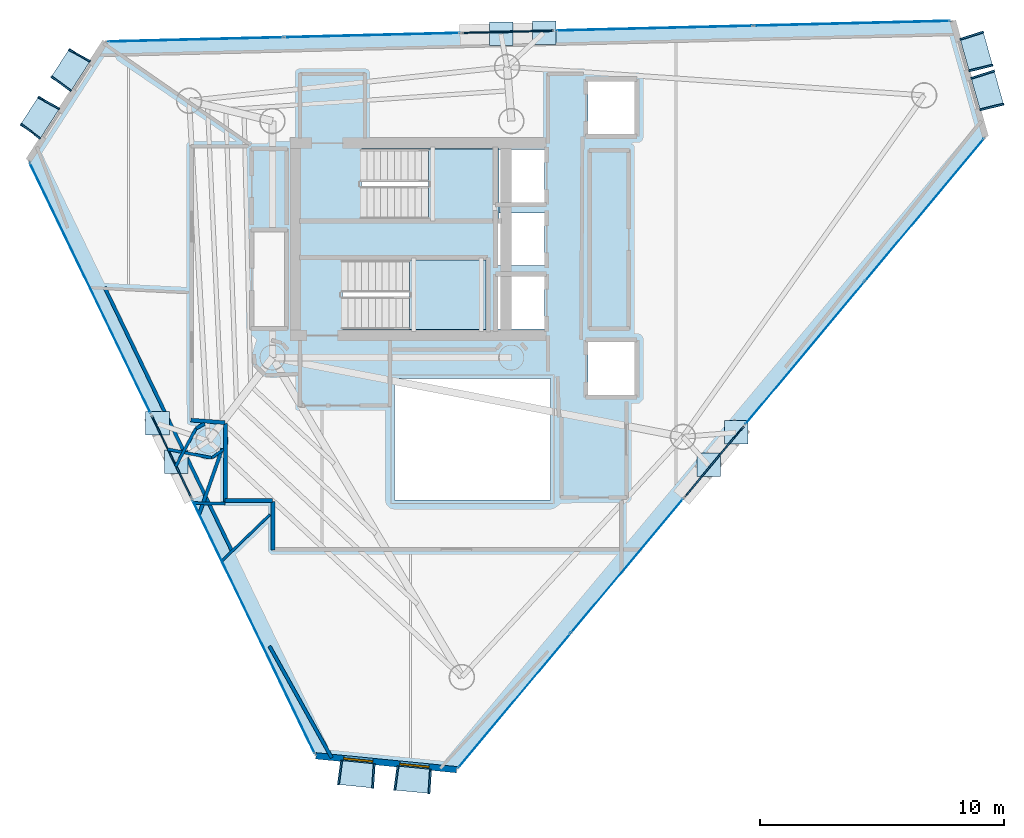
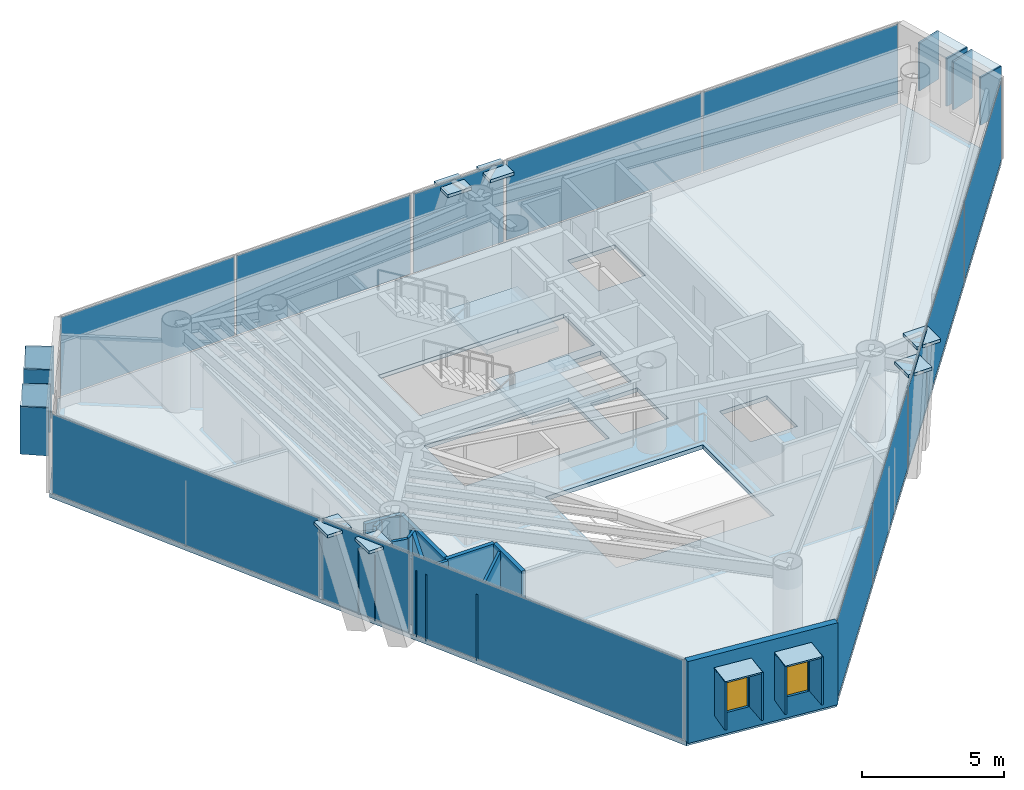
# One storey, part 14 of 20: 37 plates, 14 walls, 3 slabs, 2 windows, 2 openings, 11 elements without a shape of their own.
"""IFC4 building model written with IfcOpenShell, lengths in metres."""

import ifcopenshell
import ifcopenshell.guid

model = None  # the IFC model being written
_history = None  # IfcOwnerHistory: only IFC2X3 demands one
_inside = {}  # id of a spatial element -> (the spatial element, [elements in it])
_under = {}  # id of a project, library or spatial element -> (it, [spatial elements below it])
_declared = {}  # id of a project -> (the project, [libraries it declares])
_typed = {}  # id of a type object -> (the type object, [elements of that type])
_made_of = {}  # id of a material, layer set ... -> (it, [elements and type objects made of it])


def new_model(schema):
    """Start an empty IFC model of exactly this schema.

    Asked for "IFC4X3", IfcOpenShell would pick the latest addendum, in which some entities
    have other attributes; the version numbers below select the first issue.
    IFC2X3 requires an IfcOwnerHistory on every rooted entity: one is made here for all.
    """
    global model, _history
    if schema == "IFC4X3":
        model = ifcopenshell.file(schema_version=(4, 3, 0, 0))
    else:
        model = ifcopenshell.file(schema=schema)
    _inside.clear()
    _under.clear()
    _declared.clear()
    _typed.clear()
    _made_of.clear()
    _history = None
    if model.schema == "IFC2X3":
        org = make("IfcOrganization", Name="unknown")
        user = make(
            "IfcPersonAndOrganization",
            ThePerson=make("IfcPerson", FamilyName="unknown"),
            TheOrganization=org,
        )
        app = make(
            "IfcApplication",
            ApplicationDeveloper=org,
            Version="unknown",
            ApplicationFullName="unknown",
            ApplicationIdentifier="unknown",
        )
        _history = make(
            "IfcOwnerHistory",
            OwningUser=user,
            OwningApplication=app,
            ChangeAction="ADDED",
            CreationDate=0,
        )
    return model


def make(cls, **values):
    """One entity of the class cls with the attributes given. An attribute that is None is left unset."""
    return model.create_entity(
        cls, **{name: value for name, value in values.items() if value is not None}
    )


def rooted(cls, **values):
    """An entity with a GlobalId (a new one), such as an element, a storey or a relation."""
    return make(cls, GlobalId=ifcopenshell.guid.new(), OwnerHistory=_history, **values)


def si_unit(unit_type, name, prefix=None):
    """IfcSIUnit, for example si_unit("LENGTHUNIT", "METRE", prefix="MILLI")."""
    return make("IfcSIUnit", UnitType=unit_type, Prefix=prefix, Name=name)


def assignment(units):
    """IfcUnitAssignment: the units of a project."""
    return None if units is None else make("IfcUnitAssignment", Units=units)


def point(xyz):
    """IfcCartesianPoint."""
    return None if xyz is None else make("IfcCartesianPoint", Coordinates=xyz)


def direction(xyz):
    """IfcDirection."""
    return None if xyz is None else make("IfcDirection", DirectionRatios=xyz)


def frame(location, z_axis=None, x_axis=None):
    """IfcAxis2Placement3D, a coordinate frame: its origin and axes. An axis left out is left unset."""
    return make(
        "IfcAxis2Placement3D",
        Location=point(location),
        Axis=direction(z_axis),
        RefDirection=direction(x_axis),
    )


def frame_2d(location, x_axis=None):
    """IfcAxis2Placement2D, a coordinate frame in the plane: its origin and x axis."""
    return make(
        "IfcAxis2Placement2D", Location=point(location), RefDirection=direction(x_axis)
    )


def origin():
    """The frame at (0, 0, 0) with its axes left unset."""
    return frame((0.0, 0.0, 0.0))


def origin_2d():
    """The frame at (0, 0) in the plane with its x axis left unset."""
    return frame_2d((0.0, 0.0))


def place(relative_to, where):
    """IfcLocalPlacement: puts the frame where relative to a parent placement (None: the world)."""
    return make(
        "IfcLocalPlacement", PlacementRelTo=relative_to, RelativePlacement=where
    )


def context(
    kind, dimensions, precision=None, world=None, true_north=None, identifier=None
):
    """IfcGeometricRepresentationContext, for example the 3D "Model" context."""
    return make(
        "IfcGeometricRepresentationContext",
        ContextIdentifier=identifier,
        ContextType=kind,
        CoordinateSpaceDimension=dimensions,
        Precision=precision,
        WorldCoordinateSystem=world,
        TrueNorth=true_north,
    )


def subcontext(parent, identifier, kind, view, scale=None):
    """IfcGeometricRepresentationSubContext, for example "Body" below "Model"."""
    return make(
        "IfcGeometricRepresentationSubContext",
        ContextIdentifier=identifier,
        ContextType=kind,
        ParentContext=parent,
        TargetScale=scale,
        TargetView=view,
    )


def project(units=None, contexts=None):
    """IfcProject with its units and contexts."""
    return rooted(
        "IfcProject",
        Name="project",
        RepresentationContexts=contexts,
        UnitsInContext=assignment(units),
    )


def spatial(cls, under=None, at=None, **own):
    """A site, building, storey or space (cls), placed at a placement, below another one or the project."""
    s = rooted(cls, ObjectPlacement=at, **own)
    if under is not None:
        _under.setdefault(under.id(), (under, []))[1].append(s)
    return s


def polyline(points):
    """IfcPolyline through the points."""
    return make("IfcPolyline", Points=[point(p) for p in points])


def profile(cls, at=None, kind="AREA", **sizes):
    """A parametric profile (cls). Its sizes go by their IFC names, for example OverallWidth=200.0."""
    return make(cls, ProfileType=kind, Position=at, **sizes)


def rectangle(**sizes):
    """IfcRectangleProfileDef."""
    return profile("IfcRectangleProfileDef", **sizes)


def outline(outer, holes=None, kind="AREA"):
    """IfcArbitraryClosedProfileDef: a profile drawn as a closed curve; with holes, ...WithVoids."""
    if holes is None:
        return make("IfcArbitraryClosedProfileDef", ProfileType=kind, OuterCurve=outer)
    return make(
        "IfcArbitraryProfileDefWithVoids",
        ProfileType=kind,
        OuterCurve=outer,
        InnerCurves=holes,
    )


def extrude(swept, where, along, depth):
    """IfcExtrudedAreaSolid: the profile swept, set in the frame where, extruded along a direction by depth."""
    return make(
        "IfcExtrudedAreaSolid",
        SweptArea=swept,
        Position=where,
        ExtrudedDirection=direction(along),
        Depth=depth,
    )


def shape(context_of_items, identifier, shape_type, items):
    """IfcShapeRepresentation: the items that make up one representation, for example the "Body"."""
    return make(
        "IfcShapeRepresentation",
        ContextOfItems=context_of_items,
        RepresentationIdentifier=identifier,
        RepresentationType=shape_type,
        Items=items,
    )


def material(Name=None, Category=None):
    """IfcMaterial."""
    return make("IfcMaterial", Name=Name, Category=Category)


def layer(
    of_material, thickness, ventilated=None, Name=None, Category=None, Priority=None
):
    """IfcMaterialLayer: one layer of a wall or slab, of a material (None: an air gap)."""
    return make(
        "IfcMaterialLayer",
        Material=of_material,
        LayerThickness=thickness,
        IsVentilated=ventilated,
        Name=Name,
        Category=Category,
        Priority=Priority,
    )


def layer_set(layers, Name=None):
    """IfcMaterialLayerSet."""
    return make("IfcMaterialLayerSet", MaterialLayers=layers, LayerSetName=Name)


def made_of(thing, what):
    """Note that an element or type object is made of a material, layer set ...; save() writes the relation."""
    if what is not None:
        _made_of.setdefault(what.id(), (what, []))[1].append(thing)
    return thing


def type_object(cls, material=None, **own):
    """A type object (cls), such as IfcWallType, which elements share."""
    return made_of(rooted(cls, **own), material)


def element(
    cls,
    number,
    at=None,
    inside=None,
    cuts=None,
    type_object=None,
    material=None,
    context=None,
    identifier="Body",
    shape_type=None,
    held_by="IfcProductDefinitionShape",
    body=None,
    shapes=None,
    **own,
):
    """One element of the class cls, such as IfcWall. Its Tag is "e" and its number.

    at: its placement. inside: the storey or other place that contains it. cuts: it is an
    opening in that element (IfcRelVoidsElement). A single representation is given by context,
    identifier, shape_type and body (its items); several are given by shapes. held_by: the class
    of the entity that holds the representations. save() writes the other relations.
    """
    e = rooted(cls, Tag="e%d" % number, ObjectPlacement=at, **own)
    if body is not None:
        shapes = [shape(context, identifier, shape_type, body)]
    if shapes is not None:
        e.Representation = make(held_by, Representations=shapes)
    if inside is not None:
        _inside.setdefault(inside.id(), (inside, []))[1].append(e)
    if cuts is not None:
        rooted(
            "IfcRelVoidsElement", RelatingBuildingElement=cuts, RelatedOpeningElement=e
        )
    if type_object is not None:
        _typed.setdefault(type_object.id(), (type_object, []))[1].append(e)
    return made_of(e, material)


def fill(opening, filler):
    """IfcRelFillsElement: the door or window that sits in an opening."""
    return rooted(
        "IfcRelFillsElement",
        RelatingOpeningElement=opening,
        RelatedBuildingElement=filler,
    )


def aggregate(whole, parts):
    """IfcRelAggregates: a whole, such as a stair, and the parts it consists of."""
    return rooted("IfcRelAggregates", RelatingObject=whole, RelatedObjects=parts)


def save(model, path):
    """Write the relations noted so far, then the file.

    IfcRelAggregates (storeys below a building ...), IfcRelContainedInSpatialStructure (elements
    in a storey), IfcRelDefinesByType, IfcRelAssociatesMaterial and IfcRelDeclares: one each for
    every whole, place, type object, material and project.
    """
    for whole, parts in _under.values():
        aggregate(whole, parts)
    for where, things in _inside.values():
        rooted(
            "IfcRelContainedInSpatialStructure",
            RelatedElements=things,
            RelatingStructure=where,
        )
    for kind, things in _typed.values():
        rooted("IfcRelDefinesByType", RelatedObjects=things, RelatingType=kind)
    for what, things in _made_of.values():
        rooted("IfcRelAssociatesMaterial", RelatedObjects=things, RelatingMaterial=what)
    for by, libraries in _declared.values():
        rooted("IfcRelDeclares", RelatingContext=by, RelatedDefinitions=libraries)
    model.write(path)


model = new_model("IFC4")

# Units and contexts
model_context = context("Model", 3, precision=1e-05, world=origin(), true_north=direction((0.0, 1.0)))
body_context = subcontext(model_context, "Body", "Model", "MODEL_VIEW")
ifc_project = project(units=[si_unit("LENGTHUNIT", "METRE"), si_unit("AREAUNIT", "SQUARE_METRE"), si_unit("VOLUMEUNIT", "CUBIC_METRE"), si_unit("PLANEANGLEUNIT", "RADIAN"), si_unit("MASSUNIT", "GRAM", prefix="KILO")], contexts=[model_context])

# Site, building, storey
site_placement = place(None, origin())
site = spatial("IfcSite", under=ifc_project, at=site_placement, CompositionType="ELEMENT")
building_placement = place(site_placement, origin())
building = spatial("IfcBuilding", under=site, at=building_placement, Name="Qianvela Tower", CompositionType="ELEMENT")
storey_placement = place(building_placement, frame((0.0, 0.0, 257.5)))
storey = spatial("IfcBuildingStorey", under=building, at=storey_placement, Name="L66", CompositionType="ELEMENT", Elevation=257.5)

# Curtain wall, plate
ifc_material_1 = material(Name="Anodised Architectural Aluminium and Insulated Spandrel Panel", Category="aluminium")
ifc_layer_1 = layer(ifc_material_1, 0.179931640625)
ifc_layer_set_1 = layer_set([ifc_layer_1], Name="Anodised Architectural Aluminium and Insulated Spandrel Panel")
curtain_wall_type_1 = type_object("IfcCurtainWallType", Name="CW-BRACEBAY", PredefinedType="USERDEFINED", material=ifc_layer_set_1)
curtain_wall_1_placement = place(storey_placement, origin())
curtain_wall_1 = element("IfcCurtainWall", 1, at=curtain_wall_1_placement, inside=storey, type_object=curtain_wall_type_1, Name="L66 CW-BRACEBAY Curtain Wall 02B", ObjectType="CURTAIN_WALL_SYSTEM", PredefinedType="USERDEFINED")
ifc_material_2 = material(Name="Insulated Aluminium Spandrel Panel with Mineral-Wool Backpan", Category="aluminium")
ifc_layer_2 = layer(ifc_material_2, 0.06005859375)
ifc_layer_set_2 = layer_set([ifc_layer_2], Name="Insulated Aluminium Spandrel Panel with Mineral-Wool Backpan")
plate_type_1 = type_object("IfcPlateType", Name="CW-BRACEBAY-PNL", PredefinedType="CURTAIN_PANEL", material=ifc_layer_set_2)
plate_1_placement = place(storey_placement, frame((38.260986328125, 37.212890625, 0.06494140625), z_axis=(0.0, 0.0, 1.0), x_axis=(-0.999699056646, -0.02453153359, 0.0)))
plate_1 = element("IfcPlate", 2, at=plate_1_placement, type_object=plate_type_1, Name="CW-9 panel 1.1", PredefinedType="CURTAIN_PANEL", context=body_context, shape_type="SweptSolid", body=[
    extrude(rectangle(XDim=3.7099609375, YDim=0.06005859375, at=origin_2d()), origin(), (0.0, 0.0, 1.0), 3.389892578125),
])
aggregate(curtain_wall_1, [plate_1])

curtain_wall_2_placement = place(storey_placement, origin())
curtain_wall_2 = element("IfcCurtainWall", 3, at=curtain_wall_2_placement, inside=storey, type_object=curtain_wall_type_1, Name="L66 CW-BRACEBAY Curtain Wall 04B", ObjectType="CURTAIN_WALL_SYSTEM", PredefinedType="USERDEFINED")
plate_2_placement = place(storey_placement, frame((24.459228515625, 19.787353515625, 0.06494140625), z_axis=(0.0, 0.0, 1.0), x_axis=(0.43459499496, -0.900625999156, 0.0)))
plate_2 = element("IfcPlate", 4, at=plate_2_placement, type_object=plate_type_1, Name="CW-9 panel 1.1", PredefinedType="CURTAIN_PANEL", context=body_context, shape_type="SweptSolid", body=[
    extrude(rectangle(XDim=3.699951171875, YDim=0.06005859375, at=origin_2d()), origin(), (0.0, 0.0, 1.0), 3.389892578125),
])
aggregate(curtain_wall_2, [plate_2])

curtain_wall_3_placement = place(storey_placement, origin())
curtain_wall_3 = element("IfcCurtainWall", 5, at=curtain_wall_3_placement, inside=storey, type_object=curtain_wall_type_1, Name="L66 CW-BRACEBAY Curtain Wall 06B", ObjectType="CURTAIN_WALL_SYSTEM", PredefinedType="USERDEFINED")
plate_3_placement = place(storey_placement, frame((46.722900390625, 19.584716796875, 0.06494140625), z_axis=(0.0, 0.0, 1.0), x_axis=(0.641269037043, 0.767316116167, 0.0)))
plate_3 = element("IfcPlate", 6, at=plate_3_placement, type_object=plate_type_1, Name="CW-9 panel 1.1", PredefinedType="CURTAIN_PANEL", context=body_context, shape_type="SweptSolid", body=[
    extrude(rectangle(XDim=3.739990234375, YDim=0.06005859375, at=origin_2d()), origin(), (0.0, 0.0, 1.0), 3.389892578125),
])
aggregate(curtain_wall_3, [plate_3])

# Curtain wall, plates
ifc_material_3 = material(Name="Anodised Architectural Aluminium and Low-E Glass", Category="aluminium")
ifc_layer_3 = layer(ifc_material_3, 0.159912109375)
ifc_layer_set_3 = layer_set([ifc_layer_3], Name="Anodised Architectural Aluminium and Low-E Glass")
curtain_wall_type_2 = type_object("IfcCurtainWallType", Name="CW-COLIV-Z56", PredefinedType="USERDEFINED", material=ifc_layer_set_3)
curtain_wall_4_placement = place(storey_placement, origin())
curtain_wall_4 = element("IfcCurtainWall", 7, at=curtain_wall_4_placement, inside=storey, type_object=curtain_wall_type_2, Name="L66 CW-COLIV-Z56 Curtain Wall 02A", ObjectType="CURTAIN_WALL_SYSTEM", PredefinedType="USERDEFINED")
ifc_material_4 = material(Name="Double-Silver Low-E Insulated Glass", Category="glass")
ifc_layer_4 = layer(ifc_material_4, 0.028076171875)
ifc_layer_set_4 = layer_set([ifc_layer_4], Name="Double-Silver Low-E Insulated Glass")
plate_type_2 = type_object("IfcPlateType", Name="CW-COLIV-Z56-PNL", PredefinedType="CURTAIN_PANEL", material=ifc_layer_set_4)
plate_4_placement = place(storey_placement, frame((52.370361328125, 37.5595703125, 0.06005859375), z_axis=(0.0, 0.0, 1.0), x_axis=(-0.999698413601, -0.02455772473, 0.0)))
plate_4 = element("IfcPlate", 8, at=plate_4_placement, type_object=plate_type_2, Name="CW-5 panel 1.1", PredefinedType="CURTAIN_PANEL", context=body_context, shape_type="SweptSolid", body=[
    extrude(rectangle(XDim=8.04248046875, YDim=0.028076171875, at=origin_2d()), origin(), (0.0, 0.0, 1.0), 3.39990234375),
])
plate_5_placement = place(storey_placement, frame((44.265380859375, 37.3603515625, 0.06005859375), z_axis=(0.0, 0.0, 1.0), x_axis=(-0.999698413601, -0.02455772473, 0.0)))
plate_5 = element("IfcPlate", 9, at=plate_5_placement, type_object=plate_type_2, Name="CW-5 panel 2.1", PredefinedType="CURTAIN_PANEL", context=body_context, shape_type="SweptSolid", body=[
    extrude(rectangle(XDim=8.04248046875, YDim=0.028076171875, at=origin_2d()), origin(), (0.0, 0.0, 1.0), 3.39990234375),
])
aggregate(curtain_wall_4, [plate_4, plate_5])

curtain_wall_5_placement = place(storey_placement, origin())
curtain_wall_5 = element("IfcCurtainWall", 10, at=curtain_wall_5_placement, inside=storey, type_object=curtain_wall_type_2, Name="L66 CW-COLIV-Z56 Curtain Wall 02C", ObjectType="CURTAIN_WALL_SYSTEM", PredefinedType="USERDEFINED")
plate_6_placement = place(storey_placement, frame((32.689208984375, 37.076171875, 0.06005859375), z_axis=(0.0, 0.0, 1.0), x_axis=(-0.99969840508, -0.024558071614, 0.0)))
plate_6 = element("IfcPlate", 11, at=plate_6_placement, type_object=plate_type_2, Name="CW-5 panel 1.1", PredefinedType="CURTAIN_PANEL", context=body_context, shape_type="SweptSolid", body=[
    extrude(rectangle(XDim=7.177001953125, YDim=0.028076171875, at=origin_2d()), origin(), (0.0, 0.0, 1.0), 3.39990234375),
])
plate_7_placement = place(storey_placement, frame((25.44921875, 36.898193359375, 0.06005859375), z_axis=(0.0, 0.0, 1.0), x_axis=(-0.99969840508, -0.024558071614, 0.0)))
plate_7 = element("IfcPlate", 12, at=plate_7_placement, type_object=plate_type_2, Name="CW-5 panel 2.1", PredefinedType="CURTAIN_PANEL", context=body_context, shape_type="SweptSolid", body=[
    extrude(rectangle(XDim=7.177001953125, YDim=0.028076171875, at=origin_2d()), origin(), (0.0, 0.0, 1.0), 3.39990234375),
])
aggregate(curtain_wall_5, [plate_6, plate_7])

# Curtain wall, plate
curtain_wall_6_placement = place(storey_placement, origin())
curtain_wall_6 = element("IfcCurtainWall", 13, at=curtain_wall_6_placement, inside=storey, type_object=curtain_wall_type_2, Name="L66 CW-COLIV-Z56 Curtain Wall 04A", ObjectType="CURTAIN_WALL_SYSTEM", PredefinedType="USERDEFINED")
plate_8_placement = place(storey_placement, frame((21.12353515625, 26.69970703125, 0.06005859375), z_axis=(0.0, 0.0, 1.0), x_axis=(0.434607049973, -0.900620181938, 0.0)))
plate_8 = element("IfcPlate", 14, at=plate_8_placement, type_object=plate_type_2, Name="CW-5 panel 1.1", PredefinedType="CURTAIN_PANEL", context=body_context, shape_type="SweptSolid", body=[
    extrude(rectangle(XDim=11.39013671875, YDim=0.028076171875, at=origin_2d()), origin(), (0.0, 0.0, 1.0), 3.39990234375),
])
aggregate(curtain_wall_6, [plate_8])

curtain_wall_7_placement = place(storey_placement, origin())
curtain_wall_7 = element("IfcCurtainWall", 15, at=curtain_wall_7_placement, inside=storey, type_object=curtain_wall_type_2, Name="L66 CW-COLIV-Z56 Curtain Wall 04C", ObjectType="CURTAIN_WALL_SYSTEM", PredefinedType="USERDEFINED")
plate_9_placement = place(storey_placement, frame((27.826416015625, 12.81005859375, 0.06005859375), z_axis=(0.0, 0.0, 1.0), x_axis=(0.434608571818, -0.900619447548, 0.0)))
plate_9 = element("IfcPlate", 16, at=plate_9_placement, type_object=plate_type_2, Name="CW-5 panel 1.1", PredefinedType="CURTAIN_PANEL", context=body_context, shape_type="SweptSolid", body=[
    extrude(rectangle(XDim=11.53466796875, YDim=0.028076171875, at=origin_2d()), origin(), (0.0, 0.0, 1.0), 3.39990234375),
])
aggregate(curtain_wall_7, [plate_9])

# Curtain wall, plates
curtain_wall_8_placement = place(storey_placement, origin())
curtain_wall_8 = element("IfcCurtainWall", 17, at=curtain_wall_8_placement, inside=storey, type_object=curtain_wall_type_2, Name="L66 CW-COLIV-Z56 Curtain Wall 06A", ObjectType="CURTAIN_WALL_SYSTEM", PredefinedType="USERDEFINED")
plate_10_placement = place(storey_placement, frame((38.5234375, 9.773681640625, 0.06005859375), z_axis=(0.0, 0.0, 1.0), x_axis=(0.641273263743, 0.767312583768, 0.0)))
plate_10 = element("IfcPlate", 18, at=plate_10_placement, type_object=plate_type_2, Name="CW-5 panel 1.1", PredefinedType="CURTAIN_PANEL", context=body_context, shape_type="SweptSolid", body=[
    extrude(rectangle(XDim=7.1474609375, YDim=0.028076171875, at=origin_2d()), origin(), (0.0, 0.0, 1.0), 3.39990234375),
])
plate_11_placement = place(storey_placement, frame((43.148681640625, 15.307861328125, 0.06005859375), z_axis=(0.0, 0.0, 1.0), x_axis=(0.641273263743, 0.767312583768, 0.0)))
plate_11 = element("IfcPlate", 19, at=plate_11_placement, type_object=plate_type_2, Name="CW-5 panel 2.1", PredefinedType="CURTAIN_PANEL", context=body_context, shape_type="SweptSolid", body=[
    extrude(rectangle(XDim=7.1474609375, YDim=0.028076171875, at=origin_2d()), origin(), (0.0, 0.0, 1.0), 3.39990234375),
])
aggregate(curtain_wall_8, [plate_10, plate_11])

curtain_wall_9_placement = place(storey_placement, origin())
curtain_wall_9 = element("IfcCurtainWall", 20, at=curtain_wall_9_placement, inside=storey, type_object=curtain_wall_type_2, Name="L66 CW-COLIV-Z56 Curtain Wall 06C", ObjectType="CURTAIN_WALL_SYSTEM", PredefinedType="USERDEFINED")
plate_12_placement = place(storey_placement, frame((50.437255859375, 24.029052734375, 0.06005859375), z_axis=(0.0, 0.0, 1.0), x_axis=(0.64127341561, 0.767312456847, 0.0)))
plate_12 = element("IfcPlate", 21, at=plate_12_placement, type_object=plate_type_2, Name="CW-5 panel 1.1", PredefinedType="CURTAIN_PANEL", context=body_context, shape_type="SweptSolid", body=[
    extrude(rectangle(XDim=7.584228515625, YDim=0.028076171875, at=origin_2d()), origin(), (0.0, 0.0, 1.0), 3.39990234375),
])
plate_13_placement = place(storey_placement, frame((55.342529296875, 29.8984375, 0.06005859375), z_axis=(0.0, 0.0, 1.0), x_axis=(0.64127341561, 0.767312456847, 0.0)))
plate_13 = element("IfcPlate", 22, at=plate_13_placement, type_object=plate_type_2, Name="CW-5 panel 2.1", PredefinedType="CURTAIN_PANEL", context=body_context, shape_type="SweptSolid", body=[
    extrude(rectangle(XDim=7.584228515625, YDim=0.028076171875, at=origin_2d()), origin(), (0.0, 0.0, 1.0), 3.39990234375),
])
aggregate(curtain_wall_9, [plate_12, plate_13])

# Plates
ifc_material_5 = material(Name="Steel Q420GJC", Category="steel")
ifc_layer_5 = layer(ifc_material_5, 0.1298828125)
ifc_layer_set_5 = layer_set([ifc_layer_5], Name="Steel Q420GJC")
plate_type_3 = type_object("IfcPlateType", Name="PT-ENDCAP-130", PredefinedType="USERDEFINED", material=ifc_layer_set_5)
for number, where, z_axis, x_axis, name in (
    (23, (39.743408203125, 37.169189453125, 3.209716796875), (0.0, 0.0, 1.0), (1.0, 0.0, 0.0), "L66 Hollow Section End Cap Plate B"),
    (24, (37.991455078125, 37.126220703125, 3.209716796875), (0.0, 0.0, 1.0), (1.0, 0.0, 0.0), "L66 Hollow Section End Cap Plate B"),
    (25, (23.88818359375, 21.15478515625, 3.209716796875), (0.0, 0.0, 1.0), (1.0, 0.0, 0.0), "L66 Hollow Section End Cap Plate B"),
    (26, (24.64990234375, 19.576416015625, 3.209716796875), (0.0, 0.0, 1.0), (1.0, 0.0, 0.0), "L66 Hollow Section End Cap Plate B"),
    (27, (46.5029296875, 19.4462890625, 3.20947265625), (0.0, 0.0, 1.0), (1.0, 0.0, 0.0), "L66 Hollow Section End Cap Plate B"),
    (28, (47.626953125, 20.791015625, 3.20947265625), (0.0, 0.0, 1.0), (1.0, 0.0, 0.0), "L66 Hollow Section End Cap Plate B"),
):
    element("IfcPlate", number, at=place(storey_placement, frame(where, z_axis=z_axis, x_axis=x_axis)), inside=storey, type_object=plate_type_3, Name=name, ObjectType="END_CAP", PredefinedType="USERDEFINED", context=body_context, shape_type="SweptSolid", body=[
        extrude(rectangle(XDim=0.969970703125, YDim=0.969970703125, at=origin_2d()), origin(), (0.0, 0.0, 1.0), 0.1298828125),
    ])

# Slab
ifc_material_6 = material(Name="Concrete C40", Category="concrete")
ifc_layer_6 = layer(ifc_material_6, 0.179931640625)
ifc_layer_set_6 = layer_set([ifc_layer_6], Name="Concrete C40")
slab_type_1 = type_object("IfcSlabType", Name="SL-FLOOR-180", PredefinedType="FLOOR", material=ifc_layer_set_6)
slab_1_placement = place(storey_placement, frame((0.0, 0.0, -0.179931640625)))
element("IfcSlab", 29, at=slab_1_placement, inside=storey, type_object=slab_type_1, Name="L66 Composite Structural Floor Slab", PredefinedType="FLOOR", context=body_context, shape_type="SweptSolid", body=[
    extrude(outline(polyline([(57.84814453125, 32.896484375), (56.505615234375, 37.660888671875), (21.746826171875, 36.807373046875), (18.5986328125, 31.932373046875), (30.3828125, 7.51220703125), (36.157958984375, 6.943115234375), (57.84814453125, 32.896484375)]), holes=[polyline([(40.0, 23.0), (33.60009765625, 23.0), (33.60009765625, 18.0), (40.0, 18.0), (40.0, 23.0)]), polyline([(43.4599609375, 24.47998046875), (41.5400390625, 24.47998046875), (41.5400390625, 22.320068359375), (43.4599609375, 22.320068359375), (43.4599609375, 24.47998046875)]), polyline([(39.760009765625, 27.179931640625), (37.840087890625, 27.179931640625), (37.840087890625, 25.02001953125), (39.760009765625, 25.02001953125), (39.760009765625, 27.179931640625)]), polyline([(37.35009765625, 27.860107421875), (31.469970703125, 27.860107421875), (31.469970703125, 25.0), (37.35009765625, 25.0), (37.35009765625, 27.860107421875)]), polyline([(39.760009765625, 27.6201171875), (39.760009765625, 29.780029296875), (37.89990234375, 29.780029296875), (37.89990234375, 30.219970703125), (39.760009765625, 30.219970703125), (39.760009765625, 32.3798828125), (37.89990234375, 32.3798828125), (37.89990234375, 32.39990234375), (32.25, 32.39990234375), (32.25, 29.5400390625), (37.840087890625, 29.5400390625), (37.840087890625, 27.6201171875), (39.760009765625, 27.6201171875)]), polyline([(43.4599609375, 35.179931640625), (41.5400390625, 35.179931640625), (41.5400390625, 33.02001953125), (43.4599609375, 33.02001953125), (43.4599609375, 35.179931640625)])]), origin(), (0.0, 0.0, 1.0), 0.179931640625),
])

# Stair, slab
ifc_material_7 = material(Name="Concrete C40", Category="concrete")
stair_type = type_object("IfcStairType", Name="ST-DOGLEG-1350-R168-N22", PredefinedType="HALF_TURN_STAIR", material=ifc_material_7)
stair_1_placement = place(storey_placement, origin())
stair_1 = element("IfcStair", 30, at=stair_1_placement, inside=storey, type_object=stair_type, Name="L66 Smoke-Proof Core Stair ST-1", PredefinedType="HALF_TURN_STAIR")
ifc_material_8 = material(Name="Concrete C40", Category="concrete")
ifc_layer_7 = layer(ifc_material_8, 0.199951171875)
ifc_layer_set_7 = layer_set([ifc_layer_7], Name="Concrete C40")
slab_type_2 = type_object("IfcSlabType", Name="SL-STAIR-LANDING-200", PredefinedType="LANDING", material=ifc_layer_set_7)
slab_2_placement = place(storey_placement, frame((0.0, 0.0, 1.64990234375)))
slab_2 = element("IfcSlab", 31, at=slab_2_placement, type_object=slab_type_2, Name="ST-1 landing 1", PredefinedType="LANDING", context=body_context, shape_type="SweptSolid", body=[
    extrude(outline(polyline([(35.0, 29.5400390625), (37.89990234375, 29.5400390625), (37.89990234375, 32.39990234375), (35.0, 32.39990234375), (35.0, 29.5400390625)])), origin(), (0.0, 0.0, 1.0), 0.2001953125),
])
aggregate(stair_1, [slab_2])

stair_2_placement = place(storey_placement, origin())
stair_2 = element("IfcStair", 32, at=stair_2_placement, inside=storey, type_object=stair_type, Name="L66 Smoke-Proof Core Stair ST-2", PredefinedType="HALF_TURN_STAIR")
slab_3_placement = place(storey_placement, frame((0.0, 0.0, 1.64990234375)))
slab_3 = element("IfcSlab", 33, at=slab_3_placement, type_object=slab_type_2, Name="ST-2 landing 1", PredefinedType="LANDING", context=body_context, shape_type="SweptSolid", body=[
    extrude(outline(polyline([(34.219970703125, 25.0), (37.35009765625, 25.0), (37.35009765625, 27.860107421875), (34.219970703125, 27.860107421875), (34.219970703125, 25.0)])), origin(), (0.0, 0.0, 1.0), 0.2001953125),
])
aggregate(stair_2, [slab_3])

# Plates
ifc_material_9 = material(Name="Vitrified Architectural Terracotta Panel", Category="masonry")
ifc_layer_8 = layer(ifc_material_9, 0.06005859375)
ifc_layer_set_8 = layer_set([ifc_layer_8], Name="Vitrified Architectural Terracotta Panel")
plate_type_4 = type_object("IfcPlateType", Name="TERRACOTTA-SUNSHADE-HOOD-FOLD-A", PredefinedType="USERDEFINED", material=ifc_layer_set_8)
for number, where, z_axis, x_axis, name in (
    (34, (20.310791015625, 35.662109375, 2.909912109375), (0.0, 0.0, 1.0), (-0.542497252585, -0.840057575966, 0.0), "L66 Terracotta Sunshade Hood FOLD-A"),
    (35, (19.051513671875, 33.712158203125, 2.909912109375), (0.0, 0.0, 1.0), (-0.542497252585, -0.840057575966, 0.0), "L66 Terracotta Sunshade Hood FOLD-A"),
):
    element("IfcPlate", number, at=place(storey_placement, frame(where, z_axis=z_axis, x_axis=x_axis)), inside=storey, type_object=plate_type_4, Name=name, ObjectType="SUNSHADE", PredefinedType="USERDEFINED", context=body_context, shape_type="SweptSolid", body=[
        extrude(rectangle(XDim=1.43994140625, YDim=0.989990234375, at=origin_2d()), origin(), (0.0, 0.0, 1.0), 0.06005859375),
    ])
ifc_material_10 = material(Name="Vitrified Architectural Terracotta Panel", Category="masonry")
ifc_layer_9 = layer(ifc_material_10, 0.070068359375)
ifc_layer_set_9 = layer_set([ifc_layer_9], Name="Vitrified Architectural Terracotta Panel")
plate_type_5 = type_object("IfcPlateType", Name="TERRACOTTA-SUNSHADE-HOOD-FOLD-C", PredefinedType="USERDEFINED", material=ifc_layer_set_9)
for number, where, z_axis, x_axis, name in (
    (36, (57.921630859375, 34.79248046875, 2.909912109375), (0.0, 0.0, 1.0), (-0.271223748622, 0.962516326191, 0.0), "L66 Terracotta Sunshade Hood FOLD-C"),
    (37, (57.471435546875, 36.390380859375, 2.909912109375), (0.0, 0.0, 1.0), (-0.271223748622, 0.962516326191, 0.0), "L66 Terracotta Sunshade Hood FOLD-C"),
    (38, (32.05810546875, 6.75927734375, 2.909912109375), (0.0, 0.0, 1.0), (0.995181475754, -0.098050141851, 0.0), "L66 Terracotta Sunshade Hood FOLD-C"),
    (39, (34.3681640625, 6.53173828125, 2.909912109375), (0.0, 0.0, 1.0), (0.995181475754, -0.098050141851, 0.0), "L66 Terracotta Sunshade Hood FOLD-C"),
):
    element("IfcPlate", number, at=place(storey_placement, frame(where, z_axis=z_axis, x_axis=x_axis)), inside=storey, type_object=plate_type_5, Name=name, ObjectType="SUNSHADE", PredefinedType="USERDEFINED", context=body_context, shape_type="SweptSolid", body=[
        extrude(rectangle(XDim=1.43994140625, YDim=0.989990234375, at=origin_2d()), origin(), (0.0, 0.0, 1.0), 0.06005859375),
    ])
ifc_material_11 = material(Name="Vitrified Architectural Terracotta Side Fin Panel", Category="masonry")
ifc_layer_10 = layer(ifc_material_11, 0.06494140625)
ifc_layer_set_10 = layer_set([ifc_layer_10], Name="Vitrified Architectural Terracotta Side Fin Panel")
plate_type_6 = type_object("IfcPlateType", Name="TERRACOTTA-SUNSHADE-STRUT-FOLD-A", PredefinedType="USERDEFINED", material=ifc_layer_set_10)
for number, where, z_axis, x_axis, name in (
    (40, (20.685302734375, 36.24169921875, 0.89990234375), (0.0, 0.0, 1.0), (-0.482576302302, -0.875853933288, 0.0), "L66 Terracotta Sunshade Side Fin HL FOLD-A"),
    (41, (19.9365234375, 35.08251953125, 0.89990234375), (0.0, 0.0, 1.0), (-0.599775210784, -0.800168542576, 0.0), "L66 Terracotta Sunshade Side Fin HR FOLD-A"),
    (42, (19.42578125, 34.291748046875, 0.89990234375), (0.0, 0.0, 1.0), (-0.482576302302, -0.875853933288, 0.0), "L66 Terracotta Sunshade Side Fin HL FOLD-A"),
    (43, (18.67724609375, 33.132568359375, 0.89990234375), (0.0, 0.0, 1.0), (-0.599775210784, -0.800168542576, 0.0), "L66 Terracotta Sunshade Side Fin HR FOLD-A"),
):
    element("IfcPlate", number, at=place(storey_placement, frame(where, z_axis=z_axis, x_axis=x_axis)), inside=storey, type_object=plate_type_6, Name=name, ObjectType="SUNSHADE", PredefinedType="USERDEFINED", context=body_context, shape_type="SweptSolid", body=[
        extrude(rectangle(XDim=0.06494140625, YDim=1.010009765625, at=origin_2d()), origin(), (0.0, 0.0, 1.0), 2.06005859375),
    ])
ifc_material_12 = material(Name="Vitrified Architectural Terracotta Side Fin Panel", Category="masonry")
ifc_layer_11 = layer(ifc_material_12, 0.074951171875)
ifc_layer_set_11 = layer_set([ifc_layer_11], Name="Vitrified Architectural Terracotta Side Fin Panel")
plate_type_7 = type_object("IfcPlateType", Name="TERRACOTTA-SUNSHADE-STRUT-FOLD-C", PredefinedType="USERDEFINED", material=ifc_layer_set_11)
for number, where, z_axis, x_axis, name in (
    (44, (58.108642578125, 34.12841796875, 0.89990234375), (0.0, 0.0, 1.0), (-0.237467191091, 0.971395559572, 0.0), "L66 Terracotta Sunshade Side Fin HL FOLD-C"),
    (45, (57.734619140625, 35.45654296875, 0.89990234375), (0.0, 0.0, 1.0), (-0.304649861795, 0.95246441493, 0.0), "L66 Terracotta Sunshade Side Fin HR FOLD-C"),
    (46, (57.658447265625, 35.72607421875, 0.89990234375), (0.0, 0.0, 1.0), (-0.237467191091, 0.971395559572, 0.0), "L66 Terracotta Sunshade Side Fin HL FOLD-C"),
    (47, (57.2841796875, 37.054443359375, 0.89990234375), (0.0, 0.0, 1.0), (-0.304649861795, 0.95246441493, 0.0), "L66 Terracotta Sunshade Side Fin HR FOLD-C"),
    (48, (31.371337890625, 6.826904296875, 0.89990234375), (0.0, 0.0, 1.0), (0.991153337485, -0.132721744985, 0.0), "L66 Terracotta Sunshade Side Fin HL FOLD-C"),
    (49, (32.74462890625, 6.691650390625, 0.89990234375), (0.0, 0.0, 1.0), (0.99799713869, -0.063259079722, 0.0), "L66 Terracotta Sunshade Side Fin HR FOLD-C"),
    (50, (33.681396484375, 6.599365234375, 0.89990234375), (0.0, 0.0, 1.0), (0.991153337485, -0.132721744985, 0.0), "L66 Terracotta Sunshade Side Fin HL FOLD-C"),
    (51, (35.0546875, 6.464111328125, 0.89990234375), (0.0, 0.0, 1.0), (0.99799713869, -0.063259079722, 0.0), "L66 Terracotta Sunshade Side Fin HR FOLD-C"),
):
    element("IfcPlate", number, at=place(storey_placement, frame(where, z_axis=z_axis, x_axis=x_axis)), inside=storey, type_object=plate_type_7, Name=name, ObjectType="SUNSHADE", PredefinedType="USERDEFINED", context=body_context, shape_type="SweptSolid", body=[
        extrude(rectangle(XDim=0.074951171875, YDim=1.010009765625, at=origin_2d()), origin(), (0.0, 0.0, 1.0), 2.06005859375),
    ])

# Wall, openings, windows
ifc_material_13 = material(Name="Terracotta Cladding on Concrete C40", Category="masonry")
ifc_layer_12 = layer(ifc_material_13, 0.260009765625)
ifc_layer_set_12 = layer_set([ifc_layer_12], Name="Terracotta Cladding on Concrete C40")
wall_type_1 = type_object("IfcWallType", Name="TERRACOTTA-WALL-260", PredefinedType="SOLIDWALL", material=ifc_layer_set_12)
wall_1_placement = place(storey_placement, frame((30.3828125, 7.51220703125, 0.0), z_axis=(0.0, 0.0, 1.0), x_axis=(0.99517985896, -0.098066550464, 0.0)))
wall_1 = element("IfcWall", 52, at=wall_1_placement, inside=storey, type_object=wall_type_1, Name="L66 Terracotta Chamfer Facet Wall 5", PredefinedType="SOLIDWALL", context=body_context, shape_type="SweptSolid", body=[
    extrude(rectangle(XDim=5.80322265625, YDim=0.260009765625, at=frame_2d((2.901611328125, 0.0))), origin(), (0.0, 0.0, 1.0), 3.52001953125),
])
opening_1_placement = place(wall_1_placement, frame((1.140869140625, 0.0, 0.89990234375)))
opening_1 = element("IfcOpeningElement", 53, at=opening_1_placement, cuts=wall_1, Name="Opening W-03", PredefinedType="OPENING", context=body_context, shape_type="SweptSolid", body=[
    extrude(rectangle(XDim=1.199951171875, YDim=2.0, at=frame_2d((0.60009765625, 1.0))), frame((0.0, 0.139892578125, 0.0), z_axis=(0.0, -1.0, 0.0), x_axis=(1.0, 0.0, 0.0)), (0.0, 0.0, 1.0), 0.280029296875),
])
opening_2_placement = place(wall_1_placement, frame((3.462158203125, 0.0, 0.89990234375)))
opening_2 = element("IfcOpeningElement", 54, at=opening_2_placement, cuts=wall_1, Name="Opening W-03", PredefinedType="OPENING", context=body_context, shape_type="SweptSolid", body=[
    extrude(rectangle(XDim=1.199951171875, YDim=2.0, at=frame_2d((0.60009765625, 1.0))), frame((0.0, 0.139892578125, 0.0), z_axis=(0.0, -1.0, 0.0), x_axis=(1.0, 0.0, 0.0)), (0.0, 0.0, 1.0), 0.280029296875),
])
ifc_material_14 = material(Name="Thermally Broken Aluminium and Low-E Glass", Category="aluminium")
window_type = type_object("IfcWindowType", Name="WIN-TC-1200x2000", PartitioningType="SINGLE_PANEL", PredefinedType="WINDOW", material=ifc_material_14)
window_1_placement = place(opening_1_placement, origin())
window_1 = element("IfcWindow", 55, at=window_1_placement, inside=storey, type_object=window_type, Name="L66 Chamfer Facet Window 5.1", OverallHeight=2.0, OverallWidth=1.199951171875, PartitioningType="SINGLE_PANEL", PredefinedType="WINDOW", context=body_context, shape_type="SweptSolid", body=[
    extrude(rectangle(XDim=1.199951171875, YDim=2.0, at=frame_2d((0.60009765625, 1.0))), frame((0.0, 0.030029296875, 0.0), z_axis=(0.0, -1.0, 0.0), x_axis=(1.0, 0.0, 0.0)), (0.0, 0.0, 1.0), 0.06005859375),
])
fill(opening_1, window_1)
window_2_placement = place(opening_2_placement, origin())
window_2 = element("IfcWindow", 56, at=window_2_placement, inside=storey, type_object=window_type, Name="L66 Chamfer Facet Window 5.2", OverallHeight=2.0, OverallWidth=1.199951171875, PartitioningType="SINGLE_PANEL", PredefinedType="WINDOW", context=body_context, shape_type="SweptSolid", body=[
    extrude(rectangle(XDim=1.199951171875, YDim=2.0, at=frame_2d((0.60009765625, 1.0))), frame((0.0, 0.030029296875, 0.0), z_axis=(0.0, -1.0, 0.0), x_axis=(1.0, 0.0, 0.0)), (0.0, 0.0, 1.0), 0.06005859375),
])
fill(opening_2, window_2)

# Walls
ifc_material_15 = material(Name="Fire-Rated Gypsum and Concrete Block", Category="concrete")
ifc_layer_13 = layer(ifc_material_15, 0.159912109375)
ifc_layer_set_13 = layer_set([ifc_layer_13], Name="Fire-Rated Gypsum and Concrete Block")
wall_type_2 = type_object("IfcWallType", Name="WT-CORR-160", PredefinedType="PARTITIONING", material=ifc_layer_set_13)
wall_2_placement = place(storey_placement, frame((28.631103515625, 15.949951171875, 0.0), z_axis=(0.0, 0.0, 1.0), x_axis=(0.0, 1.0, 0.0)))
element("IfcWall", 57, at=wall_2_placement, inside=storey, type_object=wall_type_2, Name="L66 Partition 58", PredefinedType="PARTITIONING", context=body_context, shape_type="SweptSolid", body=[
    extrude(rectangle(XDim=2.0, YDim=0.159912109375, at=frame_2d((1.0, 0.0))), origin(), (0.0, 0.0, 1.0), 2.840087890625),
])
wall_3_placement = place(storey_placement, frame((28.60009765625, 17.98095703125, 0.0), z_axis=(0.0, 0.0, 1.0), x_axis=(-1.0, 0.0, 0.0)))
element("IfcWall", 58, at=wall_3_placement, inside=storey, type_object=wall_type_2, Name="L66 Partition 59", PredefinedType="PARTITIONING", context=body_context, shape_type="SweptSolid", body=[
    extrude(rectangle(XDim=1.9501953125, YDim=0.159912109375, at=frame_2d((0.97509765625, 0.0))), origin(), (0.0, 0.0, 1.0), 2.840087890625),
])
wall_4_placement = place(storey_placement, frame((26.680908203125, 17.949951171875, 0.0), z_axis=(0.0, 0.0, 1.0), x_axis=(0.0, 1.0, 0.0)))
element("IfcWall", 59, at=wall_4_placement, inside=storey, type_object=wall_type_2, Name="L66 Partition 60", PredefinedType="PARTITIONING", context=body_context, shape_type="SweptSolid", body=[
    extrude(rectangle(XDim=3.199951171875, YDim=0.159912109375, at=frame_2d((1.60009765625, 0.0))), origin(), (0.0, 0.0, 1.0), 2.840087890625),
])
wall_5_placement = place(storey_placement, frame((26.65234375, 21.180908203125, 0.0), z_axis=(0.0, 0.0, 1.0), x_axis=(-0.997303696291, 0.073384857861, 0.0)))
element("IfcWall", 60, at=wall_5_placement, inside=storey, type_object=wall_type_2, Name="L66 Partition 61", PredefinedType="PARTITIONING", context=body_context, shape_type="SweptSolid", body=[
    extrude(rectangle(XDim=1.404052734375, YDim=0.159912109375, at=frame_2d((0.7021484375, 0.0))), origin(), (0.0, 0.0, 1.0), 2.840087890625),
])
ifc_material_16 = material(Name="Lightweight Gypsum Room Partition")
ifc_layer_14 = layer(ifc_material_16, 0.10498046875)
ifc_layer_set_14 = layer_set([ifc_layer_14], Name="Lightweight Gypsum Room Partition")
wall_type_3 = type_object("IfcWallType", Name="WT-PART-105", PredefinedType="PARTITIONING", material=ifc_layer_set_14)
wall_6_placement = place(storey_placement, frame((26.1240234375, 19.740234375, 0.0), z_axis=(0.0, 0.0, 1.0), x_axis=(0.803130617249, 0.595802997339, 0.0)))
element("IfcWall", 61, at=wall_6_placement, inside=storey, type_object=wall_type_3, Name="L66 Partition 70", PredefinedType="PARTITIONING", context=body_context, shape_type="SweptSolid", body=[
    extrude(rectangle(XDim=0.578125, YDim=0.10498046875, at=frame_2d((0.2890625, 0.0))), origin(), (0.0, 0.0, 1.0), 2.840087890625),
])
wall_7_placement = place(storey_placement, frame((28.49853515625, 17.41162109375, 0.0), z_axis=(0.0, 0.0, 1.0), x_axis=(-0.719456270986, -0.694537741335, 0.0)))
element("IfcWall", 62, at=wall_7_placement, inside=storey, type_object=wall_type_3, Name="L66 Partition 73", PredefinedType="PARTITIONING", context=body_context, shape_type="SweptSolid", body=[
    extrude(rectangle(XDim=2.762939453125, YDim=0.10498046875, at=frame_2d((1.38134765625, 0.0))), origin(), (0.0, 0.0, 1.0), 2.840087890625),
])
ifc_material_17 = material(Name="Insulated Gypsum Stud Partition")
ifc_layer_15 = layer(ifc_material_17, 0.1201171875)
ifc_layer_set_15 = layer_set([ifc_layer_15], Name="Insulated Gypsum Stud Partition")
wall_type_4 = type_object("IfcWallType", Name="WT-PART-120", PredefinedType="PARTITIONING", material=ifc_layer_set_15)
wall_8_placement = place(storey_placement, frame((25.460205078125, 20.93603515625, 0.0), z_axis=(0.0, 0.0, 1.0), x_axis=(-0.471491142695, -0.881870796863, 0.0)))
element("IfcWall", 63, at=wall_8_placement, inside=storey, type_object=wall_type_4, Name="L66 Partition 66", PredefinedType="PARTITIONING", context=body_context, shape_type="SweptSolid", body=[
    extrude(rectangle(XDim=1.75390625, YDim=0.1201171875, at=frame_2d((0.876953125, 0.0))), origin(), (0.0, 0.0, 1.0), 2.840087890625),
])
wall_9_placement = place(storey_placement, frame((24.293701171875, 20.09375, 0.0), z_axis=(0.0, 0.0, 1.0), x_axis=(0.980819637786, -0.194917516229, 0.0)))
element("IfcWall", 64, at=wall_9_placement, inside=storey, type_object=wall_type_4, Name="L66 Partition 69", PredefinedType="PARTITIONING", context=body_context, shape_type="SweptSolid", body=[
    extrude(rectangle(XDim=1.84130859375, YDim=0.1201171875, at=frame_2d((0.920654296875, 0.0))), origin(), (0.0, 0.0, 1.0), 2.840087890625),
])
wall_10_placement = place(storey_placement, frame((25.361083984375, 17.87744140625, 0.0), z_axis=(0.0, 0.0, 1.0), x_axis=(0.999926518374, -0.012122617385, 0.0)))
element("IfcWall", 65, at=wall_10_placement, inside=storey, type_object=wall_type_4, Name="L66 Partition 72 seg 1", PredefinedType="PARTITIONING", context=body_context, shape_type="SweptSolid", body=[
    extrude(rectangle(XDim=1.288818359375, YDim=0.1201171875, at=frame_2d((0.64453125, 0.0))), origin(), (0.0, 0.0, 1.0), 2.840087890625),
])
ifc_material_18 = material(Name="Acoustic Double Gypsum Stud Partition")
ifc_layer_16 = layer(ifc_material_18, 0.139892578125)
ifc_layer_set_16 = layer_set([ifc_layer_16], Name="Acoustic Double Gypsum Stud Partition")
wall_type_5 = type_object("IfcWallType", Name="WT-ROOM-140", PredefinedType="PARTITIONING", material=ifc_layer_set_16)
wall_11_placement = place(storey_placement, frame((25.8193359375, 21.135009765625, 0.0), z_axis=(0.0, 0.0, 1.0), x_axis=(-0.880749970322, -0.473581555571, 0.0)))
element("IfcWall", 66, at=wall_11_placement, inside=storey, type_object=wall_type_5, Name="L66 Partition 65", PredefinedType="PARTITIONING", context=body_context, shape_type="SweptSolid", body=[
    extrude(rectangle(XDim=0.393310546875, YDim=0.139892578125, at=frame_2d((0.19677734375, 0.0))), origin(), (0.0, 0.0, 1.0), 2.840087890625),
])
wall_12_placement = place(storey_placement, frame((26.5390625, 20.109375, 0.0), z_axis=(0.0, 0.0, 1.0), x_axis=(-0.331161515891, -0.94357408315, 0.0)))
element("IfcWall", 67, at=wall_12_placement, inside=storey, type_object=wall_type_5, Name="L66 Partition 71", PredefinedType="PARTITIONING", context=body_context, shape_type="SweptSolid", body=[
    extrude(rectangle(XDim=2.842041015625, YDim=0.139892578125, at=frame_2d((1.4208984375, 0.0))), origin(), (0.0, 0.0, 1.0), 2.840087890625),
])
wall_13_placement = place(storey_placement, frame((26.961181640625, 15.870849609375, 0.0), z_axis=(0.0, 0.0, 1.0), x_axis=(-0.434614939442, 0.90061637472, 0.0)))
element("IfcWall", 68, at=wall_13_placement, inside=storey, type_object=wall_type_5, Name="L66 Partition 74", PredefinedType="PARTITIONING", context=body_context, shape_type="SweptSolid", body=[
    extrude(rectangle(XDim=12.064453125, YDim=0.139892578125, at=frame_2d((6.0322265625, 0.0))), origin(), (0.0, 0.0, 1.0), 2.840087890625),
])
wall_14_placement = place(storey_placement, frame((31.03369140625, 7.430908203125, 0.0), z_axis=(0.0, 0.0, 1.0), x_axis=(-0.487170661312, 0.873306788453, 0.0)))
element("IfcWall", 69, at=wall_14_placement, inside=storey, type_object=wall_type_5, Name="L66 Partition 104 seg 1", PredefinedType="PARTITIONING", context=body_context, shape_type="SweptSolid", body=[
    extrude(rectangle(XDim=5.24853515625, YDim=0.139892578125, at=frame_2d((2.624267578125, 0.0))), origin(), (0.0, 0.0, 1.0), 2.840087890625),
])

save(model, "model.ifc")
